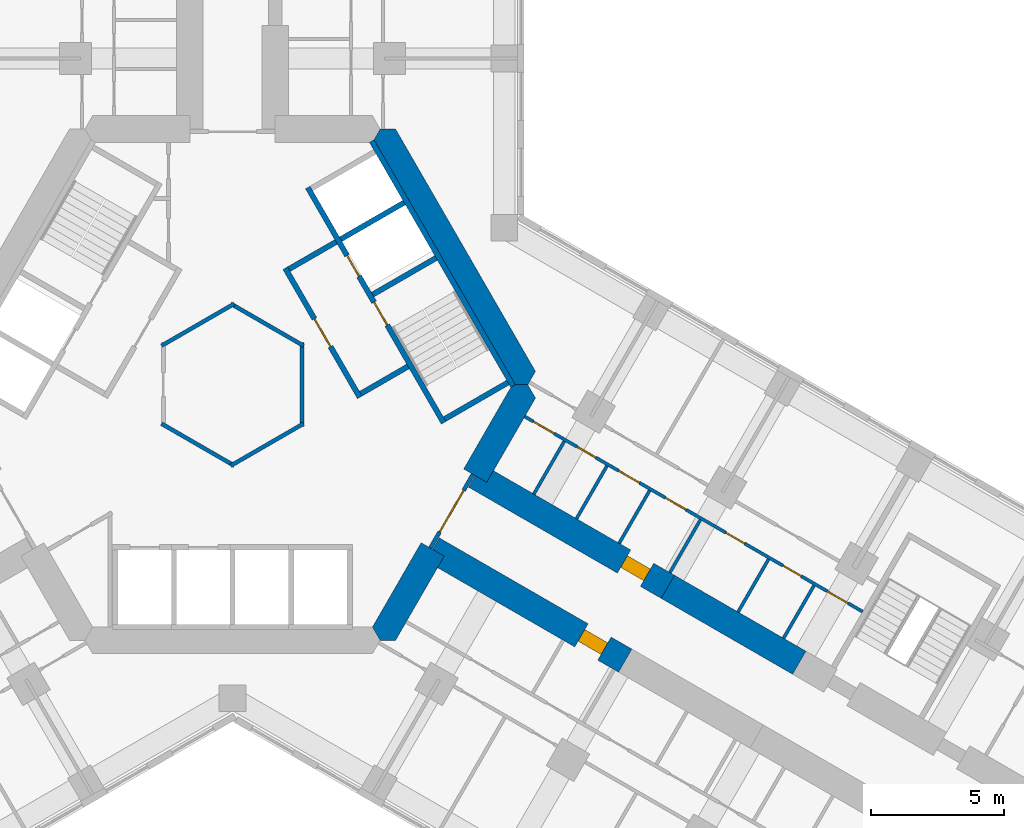
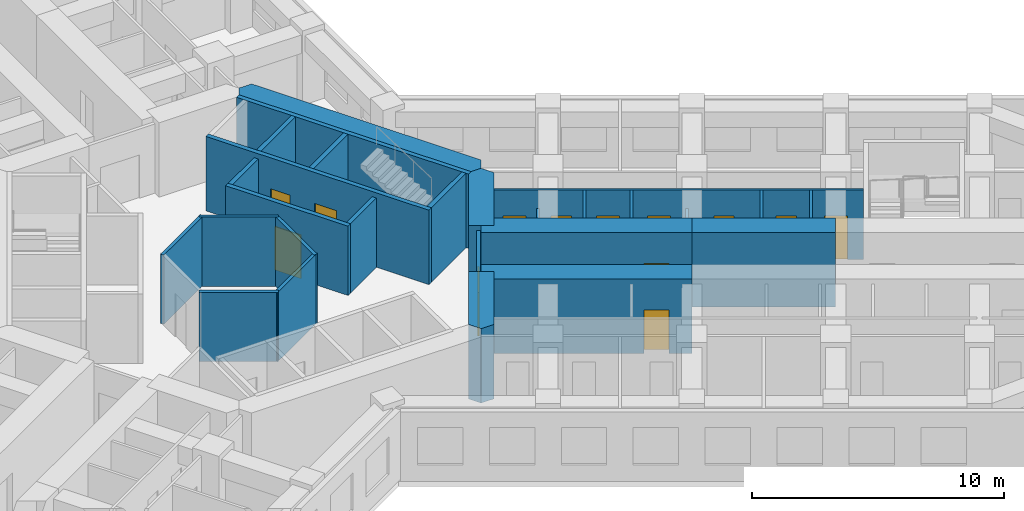
# One storey, part 15 of 21: 27 walls, 13 doors, 13 openings.
"""IFC4 building model written with IfcOpenShell, lengths in metres."""

import ifcopenshell
import ifcopenshell.guid

model = None  # the IFC model being written
_history = None  # IfcOwnerHistory: only IFC2X3 demands one
_inside = {}  # id of a spatial element -> (the spatial element, [elements in it])
_under = {}  # id of a project, library or spatial element -> (it, [spatial elements below it])
_declared = {}  # id of a project -> (the project, [libraries it declares])
_typed = {}  # id of a type object -> (the type object, [elements of that type])
_made_of = {}  # id of a material, layer set ... -> (it, [elements and type objects made of it])


def new_model(schema):
    """Start an empty IFC model of exactly this schema.

    Asked for "IFC4X3", IfcOpenShell would pick the latest addendum, in which some entities
    have other attributes; the version numbers below select the first issue.
    IFC2X3 requires an IfcOwnerHistory on every rooted entity: one is made here for all.
    """
    global model, _history
    if schema == "IFC4X3":
        model = ifcopenshell.file(schema_version=(4, 3, 0, 0))
    else:
        model = ifcopenshell.file(schema=schema)
    _inside.clear()
    _under.clear()
    _declared.clear()
    _typed.clear()
    _made_of.clear()
    _history = None
    if model.schema == "IFC2X3":
        org = make("IfcOrganization", Name="unknown")
        user = make(
            "IfcPersonAndOrganization",
            ThePerson=make("IfcPerson", FamilyName="unknown"),
            TheOrganization=org,
        )
        app = make(
            "IfcApplication",
            ApplicationDeveloper=org,
            Version="unknown",
            ApplicationFullName="unknown",
            ApplicationIdentifier="unknown",
        )
        _history = make(
            "IfcOwnerHistory",
            OwningUser=user,
            OwningApplication=app,
            ChangeAction="ADDED",
            CreationDate=0,
        )
    return model


def make(cls, **values):
    """One entity of the class cls with the attributes given. An attribute that is None is left unset."""
    return model.create_entity(
        cls, **{name: value for name, value in values.items() if value is not None}
    )


def rooted(cls, **values):
    """An entity with a GlobalId (a new one), such as an element, a storey or a relation."""
    return make(cls, GlobalId=ifcopenshell.guid.new(), OwnerHistory=_history, **values)


def si_unit(unit_type, name, prefix=None):
    """IfcSIUnit, for example si_unit("LENGTHUNIT", "METRE", prefix="MILLI")."""
    return make("IfcSIUnit", UnitType=unit_type, Prefix=prefix, Name=name)


def assignment(units):
    """IfcUnitAssignment: the units of a project."""
    return None if units is None else make("IfcUnitAssignment", Units=units)


def point(xyz):
    """IfcCartesianPoint."""
    return None if xyz is None else make("IfcCartesianPoint", Coordinates=xyz)


def direction(xyz):
    """IfcDirection."""
    return None if xyz is None else make("IfcDirection", DirectionRatios=xyz)


def frame(location, z_axis=None, x_axis=None):
    """IfcAxis2Placement3D, a coordinate frame: its origin and axes. An axis left out is left unset."""
    return make(
        "IfcAxis2Placement3D",
        Location=point(location),
        Axis=direction(z_axis),
        RefDirection=direction(x_axis),
    )


def frame_2d(location, x_axis=None):
    """IfcAxis2Placement2D, a coordinate frame in the plane: its origin and x axis."""
    return make(
        "IfcAxis2Placement2D", Location=point(location), RefDirection=direction(x_axis)
    )


def origin():
    """The frame at (0, 0, 0) with its axes left unset."""
    return frame((0.0, 0.0, 0.0))


def place(relative_to, where):
    """IfcLocalPlacement: puts the frame where relative to a parent placement (None: the world)."""
    return make(
        "IfcLocalPlacement", PlacementRelTo=relative_to, RelativePlacement=where
    )


def context(
    kind, dimensions, precision=None, world=None, true_north=None, identifier=None
):
    """IfcGeometricRepresentationContext, for example the 3D "Model" context."""
    return make(
        "IfcGeometricRepresentationContext",
        ContextIdentifier=identifier,
        ContextType=kind,
        CoordinateSpaceDimension=dimensions,
        Precision=precision,
        WorldCoordinateSystem=world,
        TrueNorth=true_north,
    )


def subcontext(parent, identifier, kind, view, scale=None):
    """IfcGeometricRepresentationSubContext, for example "Body" below "Model"."""
    return make(
        "IfcGeometricRepresentationSubContext",
        ContextIdentifier=identifier,
        ContextType=kind,
        ParentContext=parent,
        TargetScale=scale,
        TargetView=view,
    )


def project(units=None, contexts=None):
    """IfcProject with its units and contexts."""
    return rooted(
        "IfcProject",
        Name="project",
        RepresentationContexts=contexts,
        UnitsInContext=assignment(units),
    )


def spatial(cls, under=None, at=None, **own):
    """A site, building, storey or space (cls), placed at a placement, below another one or the project."""
    s = rooted(cls, ObjectPlacement=at, **own)
    if under is not None:
        _under.setdefault(under.id(), (under, []))[1].append(s)
    return s


def polyline(points):
    """IfcPolyline through the points."""
    return make("IfcPolyline", Points=[point(p) for p in points])


def profile(cls, at=None, kind="AREA", **sizes):
    """A parametric profile (cls). Its sizes go by their IFC names, for example OverallWidth=200.0."""
    return make(cls, ProfileType=kind, Position=at, **sizes)


def rectangle(**sizes):
    """IfcRectangleProfileDef."""
    return profile("IfcRectangleProfileDef", **sizes)


def outline(outer, holes=None, kind="AREA"):
    """IfcArbitraryClosedProfileDef: a profile drawn as a closed curve; with holes, ...WithVoids."""
    if holes is None:
        return make("IfcArbitraryClosedProfileDef", ProfileType=kind, OuterCurve=outer)
    return make(
        "IfcArbitraryProfileDefWithVoids",
        ProfileType=kind,
        OuterCurve=outer,
        InnerCurves=holes,
    )


def extrude(swept, where, along, depth):
    """IfcExtrudedAreaSolid: the profile swept, set in the frame where, extruded along a direction by depth."""
    return make(
        "IfcExtrudedAreaSolid",
        SweptArea=swept,
        Position=where,
        ExtrudedDirection=direction(along),
        Depth=depth,
    )


def shape(context_of_items, identifier, shape_type, items):
    """IfcShapeRepresentation: the items that make up one representation, for example the "Body"."""
    return make(
        "IfcShapeRepresentation",
        ContextOfItems=context_of_items,
        RepresentationIdentifier=identifier,
        RepresentationType=shape_type,
        Items=items,
    )


def material(Name=None, Category=None):
    """IfcMaterial."""
    return make("IfcMaterial", Name=Name, Category=Category)


def layer(
    of_material, thickness, ventilated=None, Name=None, Category=None, Priority=None
):
    """IfcMaterialLayer: one layer of a wall or slab, of a material (None: an air gap)."""
    return make(
        "IfcMaterialLayer",
        Material=of_material,
        LayerThickness=thickness,
        IsVentilated=ventilated,
        Name=Name,
        Category=Category,
        Priority=Priority,
    )


def layer_set(layers, Name=None):
    """IfcMaterialLayerSet."""
    return make("IfcMaterialLayerSet", MaterialLayers=layers, LayerSetName=Name)


def made_of(thing, what):
    """Note that an element or type object is made of a material, layer set ...; save() writes the relation."""
    if what is not None:
        _made_of.setdefault(what.id(), (what, []))[1].append(thing)
    return thing


def type_object(cls, material=None, **own):
    """A type object (cls), such as IfcWallType, which elements share."""
    return made_of(rooted(cls, **own), material)


def element(
    cls,
    number,
    at=None,
    inside=None,
    cuts=None,
    type_object=None,
    material=None,
    context=None,
    identifier="Body",
    shape_type=None,
    held_by="IfcProductDefinitionShape",
    body=None,
    shapes=None,
    **own,
):
    """One element of the class cls, such as IfcWall. Its Tag is "e" and its number.

    at: its placement. inside: the storey or other place that contains it. cuts: it is an
    opening in that element (IfcRelVoidsElement). A single representation is given by context,
    identifier, shape_type and body (its items); several are given by shapes. held_by: the class
    of the entity that holds the representations. save() writes the other relations.
    """
    e = rooted(cls, Tag="e%d" % number, ObjectPlacement=at, **own)
    if body is not None:
        shapes = [shape(context, identifier, shape_type, body)]
    if shapes is not None:
        e.Representation = make(held_by, Representations=shapes)
    if inside is not None:
        _inside.setdefault(inside.id(), (inside, []))[1].append(e)
    if cuts is not None:
        rooted(
            "IfcRelVoidsElement", RelatingBuildingElement=cuts, RelatedOpeningElement=e
        )
    if type_object is not None:
        _typed.setdefault(type_object.id(), (type_object, []))[1].append(e)
    return made_of(e, material)


def fill(opening, filler):
    """IfcRelFillsElement: the door or window that sits in an opening."""
    return rooted(
        "IfcRelFillsElement",
        RelatingOpeningElement=opening,
        RelatedBuildingElement=filler,
    )


def aggregate(whole, parts):
    """IfcRelAggregates: a whole, such as a stair, and the parts it consists of."""
    return rooted("IfcRelAggregates", RelatingObject=whole, RelatedObjects=parts)


def save(model, path):
    """Write the relations noted so far, then the file.

    IfcRelAggregates (storeys below a building ...), IfcRelContainedInSpatialStructure (elements
    in a storey), IfcRelDefinesByType, IfcRelAssociatesMaterial and IfcRelDeclares: one each for
    every whole, place, type object, material and project.
    """
    for whole, parts in _under.values():
        aggregate(whole, parts)
    for where, things in _inside.values():
        rooted(
            "IfcRelContainedInSpatialStructure",
            RelatedElements=things,
            RelatingStructure=where,
        )
    for kind, things in _typed.values():
        rooted("IfcRelDefinesByType", RelatedObjects=things, RelatingType=kind)
    for what, things in _made_of.values():
        rooted("IfcRelAssociatesMaterial", RelatedObjects=things, RelatingMaterial=what)
    for by, libraries in _declared.values():
        rooted("IfcRelDeclares", RelatingContext=by, RelatedDefinitions=libraries)
    model.write(path)


model = new_model("IFC4")

# Units and contexts
model_context = context("Model", 3, precision=1e-05, world=origin(), true_north=direction((0.0, 1.0)))
body_context = subcontext(model_context, "Body", "Model", "MODEL_VIEW")
ifc_project = project(units=[si_unit("LENGTHUNIT", "METRE"), si_unit("AREAUNIT", "SQUARE_METRE"), si_unit("VOLUMEUNIT", "CUBIC_METRE"), si_unit("PLANEANGLEUNIT", "RADIAN"), si_unit("MASSUNIT", "GRAM", prefix="KILO")], contexts=[model_context])

# Site, building, storey
site_placement = place(None, origin())
site = spatial("IfcSite", under=ifc_project, at=site_placement, CompositionType="ELEMENT")
building_placement = place(site_placement, origin())
building = spatial("IfcBuilding", under=site, at=building_placement, Name="Kosmar Iwan School Tower", CompositionType="ELEMENT")
storey_placement = place(building_placement, frame((0.0, 0.0, 68.199951171875)))
storey = spatial("IfcBuildingStorey", under=building, at=storey_placement, Name="L16", CompositionType="ELEMENT", Elevation=68.199951171875)

# Walls
ifc_material_1 = material(Name="Gypsum board on steel studs, fire-rated", Category="steel")
ifc_layer_1 = layer(ifc_material_1, 0.14990234375)
ifc_layer_set_1 = layer_set([ifc_layer_1], Name="Core room partition 150")
wall_type_1 = type_object("IfcWallType", Name="Core room partition 150", PredefinedType="PARTITIONING", material=ifc_layer_set_1)
for number, where, z_axis, x_axis, name in (
    (1, (2.6650390625, -1.463623046875, 0.0), (0.0, 0.0, 1.0), (-0.866023080072, -0.500004024767, 0.0), "Core room partition L16-CW4"),
    (2, (0.06494140625, -3.039794921875, 0.0), (0.0, 0.0, 1.0), (-0.866023080072, 0.500004024767, 0.0), "Core room partition L16-CW5"),
    (3, (-2.6650390625, 1.463623046875, 0.0), (0.0, 0.0, 1.0), (0.866023080072, 0.500004024767, 0.0), "Core room partition L16-CW7"),
    (4, (-0.06494140625, 3.039794921875, 0.0), (0.0, 0.0, 1.0), (0.866023080072, -0.500004024767, 0.0), "Core room partition L16-CW8"),
    (5, (2.60009765625, 1.576171875, 0.0), (0.0, 0.0, 1.0), (0.0, -1.0, 0.0), "Core room partition L16-CW9"),
):
    element("IfcWall", number, at=place(storey_placement, frame(where, z_axis=z_axis, x_axis=x_axis)), inside=storey, type_object=wall_type_1, Name=name, PredefinedType="PARTITIONING", context=body_context, shape_type="SweptSolid", body=[
        extrude(rectangle(XDim=3.15234375, YDim=0.14990234375, at=frame_2d((1.576171875, 0.0))), origin(), (0.0, 0.0, 1.0), 3.35009765625),
    ])
ifc_material_2 = material(Name="Concrete C50/60", Category="concrete")
ifc_layer_2 = layer(ifc_material_2, 1.0)
ifc_layer_set_2 = layer_set([ifc_layer_2], Name="Core wall 1000")
wall_type_2 = type_object("IfcWallType", Name="Core wall 1000", PredefinedType="SHEAR", material=ifc_layer_set_2)
wall_1_placement = place(storey_placement, origin())
element("IfcWall", 6, at=wall_1_placement, inside=storey, type_object=wall_type_2, Name="Core wall F030", PredefinedType="SHEAR", context=body_context, shape_type="SweptSolid", body=[
    extrude(outline(polyline([(10.5078125, 0.0), (11.085205078125, 0.0), (11.373779296875, 0.5), (6.119873046875, 9.60009765625), (5.54248046875, 9.60009765625), (5.25390625, 9.10009765625), (10.5078125, 0.0)])), origin(), (0.0, 0.0, 1.0), 3.60009765625),
])
wall_2_placement = place(storey_placement, origin())
element("IfcWall", 7, at=wall_2_placement, inside=storey, type_object=wall_type_2, Name="Core wall F330a", PredefinedType="SHEAR", context=body_context, shape_type="SweptSolid", body=[
    extrude(outline(polyline([(5.54248046875, -9.60009765625), (6.119873046875, -9.60009765625), (7.94677734375, -6.435546875), (7.080810546875, -5.935546875), (5.25390625, -9.10009765625), (5.54248046875, -9.60009765625)])), origin(), (0.0, 0.0, 1.0), 3.60009765625),
])
wall_3_placement = place(storey_placement, origin())
element("IfcWall", 8, at=wall_3_placement, inside=storey, type_object=wall_type_2, Name="Core wall F330b", PredefinedType="SHEAR", context=body_context, shape_type="SweptSolid", body=[
    extrude(outline(polyline([(9.546875, -3.664306640625), (11.373779296875, -0.5), (11.085205078125, 0.0), (10.5078125, 0.0), (8.680908203125, -3.164306640625), (9.546875, -3.664306640625)])), origin(), (0.0, 0.0, 1.0), 3.60009765625),
])

# Wall, opening, door
ifc_material_3 = material(Name="Concrete C50/60", Category="concrete")
ifc_layer_3 = layer(ifc_material_3, 1.0)
ifc_layer_set_3 = layer_set([ifc_layer_3], Name="Corridor buttress wall 1000")
wall_type_3 = type_object("IfcWallType", Name="Corridor buttress wall 1000", PredefinedType="SHEAR", material=ifc_layer_set_3)
wall_4_placement = place(storey_placement, frame((9.11376953125, -3.414306640625, 0.0), z_axis=(0.0, 0.0, 1.0), x_axis=(0.866026859388, -0.499997478812, 0.0)))
wall_4 = element("IfcWall", 9, at=wall_4_placement, inside=storey, type_object=wall_type_3, Name="Corridor wall CL", PredefinedType="SHEAR", context=body_context, shape_type="SweptSolid", body=[
    extrude(rectangle(XDim=8.35009765625, YDim=1.0, at=frame_2d((4.175048828125, 0.0))), origin(), (0.0, 0.0, 1.0), 3.60009765625),
])
opening_1_placement = place(wall_4_placement, frame((6.449951171875, 0.0, 0.0)))
opening_1 = element("IfcOpeningElement", 10, at=opening_1_placement, cuts=wall_4, Name="Opening D1", PredefinedType="OPENING", context=body_context, shape_type="SweptSolid", body=[
    extrude(rectangle(XDim=1.0, YDim=2.10009765625, at=frame_2d((0.5, 1.050048828125))), frame((0.0, 0.511962890625, 0.0), z_axis=(0.0, -1.0, 0.0), x_axis=(1.0, 0.0, 0.0)), (0.0, 0.0, 1.0), 1.02392578125),
])
ifc_material_4 = material(Name="Timber fire door in steel frame", Category="steel")
door_type_1 = type_object("IfcDoorType", Name="Flat entrance door 1000x2100", OperationType="SINGLE_SWING_LEFT", PredefinedType="DOOR", material=ifc_material_4)
door_1_placement = place(opening_1_placement, origin())
door_1 = element("IfcDoor", 11, at=door_1_placement, inside=storey, type_object=door_type_1, Name="Flat L16-CL1 entrance door", OperationType="SINGLE_SWING_LEFT", OverallHeight=2.10009765625, OverallWidth=1.0, PredefinedType="DOOR", context=body_context, shape_type="SweptSolid", body=[
    extrude(rectangle(XDim=1.0, YDim=2.10009765625, at=frame_2d((0.5, 1.050048828125))), frame((0.0, 0.25, 0.0), z_axis=(0.0, -1.0, 0.0), x_axis=(1.0, 0.0, 0.0)), (0.0, 0.0, 1.0), 0.5),
])
fill(opening_1, door_1)

# Wall
wall_5_placement = place(storey_placement, frame((16.34521484375, -7.58935546875, 0.0), z_axis=(0.0, 0.0, 1.0), x_axis=(0.866015111908, -0.50001782563, 0.0)))
element("IfcWall", 12, at=wall_5_placement, inside=storey, type_object=wall_type_3, Name="Corridor wall CL bay 2", PredefinedType="SHEAR", context=body_context, shape_type="SweptSolid", body=[
    extrude(rectangle(XDim=5.699951171875, YDim=1.0, at=frame_2d((2.85009765625, 0.0))), origin(), (0.0, 0.0, 1.0), 3.60009765625),
])

# Wall, opening, door
wall_6_placement = place(storey_placement, frame((7.513916015625, -6.185546875, 0.0), z_axis=(0.0, 0.0, 1.0), x_axis=(0.866019549707, -0.500010139422, 0.0)))
wall_6 = element("IfcWall", 13, at=wall_6_placement, inside=storey, type_object=wall_type_3, Name="Corridor wall CR", PredefinedType="SHEAR", context=body_context, shape_type="SweptSolid", body=[
    extrude(rectangle(XDim=8.349853515625, YDim=1.0, at=frame_2d((4.1748046875, 0.0))), origin(), (0.0, 0.0, 1.0), 3.60009765625),
])
opening_2_placement = place(wall_6_placement, frame((6.449951171875, 0.0, 0.0)))
opening_2 = element("IfcOpeningElement", 14, at=opening_2_placement, cuts=wall_6, Name="Opening D1", PredefinedType="OPENING", context=body_context, shape_type="SweptSolid", body=[
    extrude(rectangle(XDim=1.0, YDim=2.10009765625, at=frame_2d((0.5, 1.050048828125))), frame((0.0, 0.511962890625, 0.0), z_axis=(0.0, -1.0, 0.0), x_axis=(1.0, 0.0, 0.0)), (0.0, 0.0, 1.0), 1.02392578125),
])
door_2_placement = place(opening_2_placement, origin())
door_2 = element("IfcDoor", 15, at=door_2_placement, inside=storey, type_object=door_type_1, Name="Flat L16-CR1 entrance door", OperationType="SINGLE_SWING_RIGHT", OverallHeight=2.10009765625, OverallWidth=1.0, PredefinedType="DOOR", context=body_context, shape_type="SweptSolid", body=[
    extrude(rectangle(XDim=1.0, YDim=2.10009765625, at=frame_2d((0.5, 1.050048828125))), frame((0.0, 0.25, 0.0), z_axis=(0.0, -1.0, 0.0), x_axis=(1.0, 0.0, 0.0)), (0.0, 0.0, 1.0), 0.5),
])
fill(opening_2, door_2)

ifc_material_5 = material(Name="Steel framed glazed screen", Category="steel")
ifc_layer_4 = layer(ifc_material_5, 0.14990234375)
ifc_layer_set_4 = layer_set([ifc_layer_4], Name="Corridor screen wall 150")
wall_type_4 = type_object("IfcWallType", Name="Corridor screen wall 150", PredefinedType="PARTITIONING", material=ifc_layer_set_4)
wall_7_placement = place(storey_placement, frame((7.42724609375, -6.1357421875, 0.0), z_axis=(0.0, 0.0, 1.0), x_axis=(0.499995408039, 0.866028054938, 0.0)))
wall_7 = element("IfcWall", 16, at=wall_7_placement, inside=storey, type_object=wall_type_4, Name="Corridor screen C L16", PredefinedType="PARTITIONING", context=body_context, shape_type="SweptSolid", body=[
    extrude(rectangle(XDim=3.2001953125, YDim=0.14990234375, at=frame_2d((1.60009765625, 0.0))), origin(), (0.0, 0.0, 1.0), 3.35009765625),
])
opening_3_placement = place(wall_7_placement, frame((0.699951171875, 0.0, 0.0)))
opening_3 = element("IfcOpeningElement", 17, at=opening_3_placement, cuts=wall_7, Name="Opening D9", PredefinedType="OPENING", context=body_context, shape_type="SweptSolid", body=[
    extrude(rectangle(XDim=1.800048828125, YDim=2.10009765625, at=frame_2d((0.89990234375, 1.050048828125))), frame((0.0, 0.0869140625, 0.0), z_axis=(0.0, -1.0, 0.0), x_axis=(1.0, 0.0, 0.0)), (0.0, 0.0, 1.0), 0.173828125),
])
ifc_material_6 = material(Name="Steel framed glazed smoke door", Category="steel")
door_type_2 = type_object("IfcDoorType", Name="Corridor smoke door pair 1800x2100", OperationType="DOUBLE_DOOR_DOUBLE_SWING", PredefinedType="DOOR", material=ifc_material_6)
door_3_placement = place(opening_3_placement, origin())
door_3 = element("IfcDoor", 18, at=door_3_placement, inside=storey, type_object=door_type_2, Name="Corridor doors C L16", OperationType="DOUBLE_DOOR_DOUBLE_SWING", OverallHeight=2.10009765625, OverallWidth=1.800048828125, PredefinedType="DOOR", context=body_context, shape_type="SweptSolid", body=[
    extrude(rectangle(XDim=1.800048828125, YDim=2.10009765625, at=frame_2d((0.89990234375, 1.050048828125))), frame((0.0, 0.02490234375, 0.0), z_axis=(0.0, -1.0, 0.0), x_axis=(1.0, 0.0, 0.0)), (0.0, 0.0, 1.0), 0.050048828125),
])
fill(opening_3, door_3)

# Wall, openings, doors
ifc_material_7 = material(Name="Gypsum board on steel studs", Category="steel")
ifc_layer_5 = layer(ifc_material_7, 0.1201171875)
ifc_layer_set_5 = layer_set([ifc_layer_5], Name="Dwelling partition 120")
wall_type_5 = type_object("IfcWallType", Name="Dwelling partition 120", PredefinedType="PARTITIONING", material=ifc_layer_set_5)
wall_8_placement = place(storey_placement, frame((10.971923828125, -1.1962890625, 0.0), z_axis=(0.0, 0.0, 1.0), x_axis=(0.866026568746, -0.499997982221, 0.0)))
wall_8 = element("IfcWall", 19, at=wall_8_placement, inside=storey, type_object=wall_type_5, Name="Partition L16-CL1-W1", PredefinedType="PARTITIONING", context=body_context, shape_type="SweptSolid", body=[
    extrude(rectangle(XDim=14.64990234375, YDim=0.1201171875, at=frame_2d((7.324951171875, 0.0))), origin(), (0.0, 0.0, 1.0), 3.35009765625),
])
opening_4_placement = place(wall_8_placement, frame((0.375, 0.0, 0.0)))
opening_4 = element("IfcOpeningElement", 20, at=opening_4_placement, cuts=wall_8, Name="Opening D2", PredefinedType="OPENING", context=body_context, shape_type="SweptSolid", body=[
    extrude(rectangle(XDim=0.89990234375, YDim=2.10009765625, at=frame_2d((0.449951171875, 1.050048828125))), frame((0.0, 0.072021484375, 0.0), z_axis=(0.0, -1.0, 0.0), x_axis=(1.0, 0.0, 0.0)), (0.0, 0.0, 1.0), 0.14404296875),
])
opening_5_placement = place(wall_8_placement, frame((2.27490234375, 0.0, 0.0)))
opening_5 = element("IfcOpeningElement", 21, at=opening_5_placement, cuts=wall_8, Name="Opening D3", PredefinedType="OPENING", context=body_context, shape_type="SweptSolid", body=[
    extrude(rectangle(XDim=0.800048828125, YDim=2.10009765625, at=frame_2d((0.39990234375, 1.050048828125))), frame((0.0, 0.072021484375, 0.0), z_axis=(0.0, -1.0, 0.0), x_axis=(1.0, 0.0, 0.0)), (0.0, 0.0, 1.0), 0.14404296875),
])
opening_6_placement = place(wall_8_placement, frame((4.074951171875, 0.0, 0.0)))
opening_6 = element("IfcOpeningElement", 22, at=opening_6_placement, cuts=wall_8, Name="Opening D2", PredefinedType="OPENING", context=body_context, shape_type="SweptSolid", body=[
    extrude(rectangle(XDim=0.89990234375, YDim=2.10009765625, at=frame_2d((0.449951171875, 1.050048828125))), frame((0.0, 0.072021484375, 0.0), z_axis=(0.0, -1.0, 0.0), x_axis=(1.0, 0.0, 0.0)), (0.0, 0.0, 1.0), 0.14404296875),
])
opening_7_placement = place(wall_8_placement, frame((6.10009765625, 0.0, 0.0)))
opening_7 = element("IfcOpeningElement", 23, at=opening_7_placement, cuts=wall_8, Name="Opening D2", PredefinedType="OPENING", context=body_context, shape_type="SweptSolid", body=[
    extrude(rectangle(XDim=0.89990234375, YDim=2.10009765625, at=frame_2d((0.449951171875, 1.050048828125))), frame((0.0, 0.072021484375, 0.0), z_axis=(0.0, -1.0, 0.0), x_axis=(1.0, 0.0, 0.0)), (0.0, 0.0, 1.0), 0.14404296875),
])
opening_8_placement = place(wall_8_placement, frame((8.728515625, 0.0, 0.0)))
opening_8 = element("IfcOpeningElement", 24, at=opening_8_placement, cuts=wall_8, Name="Opening D3", PredefinedType="OPENING", context=body_context, shape_type="SweptSolid", body=[
    extrude(rectangle(XDim=0.800048828125, YDim=2.10009765625, at=frame_2d((0.39990234375, 1.050048828125))), frame((0.0, 0.072021484375, 0.0), z_axis=(0.0, -1.0, 0.0), x_axis=(1.0, 0.0, 0.0)), (0.0, 0.0, 1.0), 0.14404296875),
])
opening_9_placement = place(wall_8_placement, frame((11.19287109375, 0.0, 0.0)))
opening_9 = element("IfcOpeningElement", 25, at=opening_9_placement, cuts=wall_8, Name="Opening D3", PredefinedType="OPENING", context=body_context, shape_type="SweptSolid", body=[
    extrude(rectangle(XDim=0.800048828125, YDim=2.10009765625, at=frame_2d((0.39990234375, 1.050048828125))), frame((0.0, 0.072021484375, 0.0), z_axis=(0.0, -1.0, 0.0), x_axis=(1.0, 0.0, 0.0)), (0.0, 0.0, 1.0), 0.14404296875),
])
opening_10_placement = place(wall_8_placement, frame((13.1142578125, 0.0, 0.0)))
opening_10 = element("IfcOpeningElement", 26, at=opening_10_placement, cuts=wall_8, Name="Opening D2", PredefinedType="OPENING", context=body_context, shape_type="SweptSolid", body=[
    extrude(rectangle(XDim=0.89990234375, YDim=2.10009765625, at=frame_2d((0.449951171875, 1.050048828125))), frame((0.0, 0.072021484375, 0.0), z_axis=(0.0, -1.0, 0.0), x_axis=(1.0, 0.0, 0.0)), (0.0, 0.0, 1.0), 0.14404296875),
])
ifc_material_8 = material(Name="Timber door in timber frame", Category="wood")
door_type_3 = type_object("IfcDoorType", Name="Internal door 900x2100", OperationType="SINGLE_SWING_LEFT", PredefinedType="DOOR", material=ifc_material_8)
door_4_placement = place(opening_4_placement, origin())
door_4 = element("IfcDoor", 27, at=door_4_placement, inside=storey, type_object=door_type_3, Name="Dressing room door L16-CL1-S1", OperationType="SINGLE_SWING_LEFT", OverallHeight=2.10009765625, OverallWidth=0.89990234375, PredefinedType="DOOR", context=body_context, shape_type="SweptSolid", body=[
    extrude(rectangle(XDim=0.89990234375, YDim=2.10009765625, at=frame_2d((0.449951171875, 1.050048828125))), frame((0.0, 0.02490234375, 0.0), z_axis=(0.0, -1.0, 0.0), x_axis=(1.0, 0.0, 0.0)), (0.0, 0.0, 1.0), 0.050048828125),
])
fill(opening_4, door_4)
door_5_placement = place(opening_6_placement, origin())
door_5 = element("IfcDoor", 28, at=door_5_placement, inside=storey, type_object=door_type_3, Name="Pantry door L16-CL1-S3", OperationType="SINGLE_SWING_LEFT", OverallHeight=2.10009765625, OverallWidth=0.89990234375, PredefinedType="DOOR", context=body_context, shape_type="SweptSolid", body=[
    extrude(rectangle(XDim=0.89990234375, YDim=2.10009765625, at=frame_2d((0.449951171875, 1.050048828125))), frame((0.0, 0.02490234375, 0.0), z_axis=(0.0, -1.0, 0.0), x_axis=(1.0, 0.0, 0.0)), (0.0, 0.0, 1.0), 0.050048828125),
])
fill(opening_6, door_5)
door_6_placement = place(opening_7_placement, origin())
door_6 = element("IfcDoor", 29, at=door_6_placement, inside=storey, type_object=door_type_3, Name="Entrance hall door L16-CL1-S4", OperationType="SINGLE_SWING_LEFT", OverallHeight=2.10009765625, OverallWidth=0.89990234375, PredefinedType="DOOR", context=body_context, shape_type="SweptSolid", body=[
    extrude(rectangle(XDim=0.89990234375, YDim=2.10009765625, at=frame_2d((0.449951171875, 1.050048828125))), frame((0.0, 0.02490234375, 0.0), z_axis=(0.0, -1.0, 0.0), x_axis=(1.0, 0.0, 0.0)), (0.0, 0.0, 1.0), 0.050048828125),
])
fill(opening_7, door_6)
door_7_placement = place(opening_10_placement, frame((0.89990234375, 0.0, 0.0), z_axis=(0.0, 0.0, 1.0), x_axis=(-1.0, 0.0, 0.0)))
door_7 = element("IfcDoor", 30, at=door_7_placement, inside=storey, type_object=door_type_3, Name="Utility room door L16-CL1-S7", OperationType="SINGLE_SWING_LEFT", OverallHeight=2.10009765625, OverallWidth=0.89990234375, PredefinedType="DOOR", context=body_context, shape_type="SweptSolid", body=[
    extrude(rectangle(XDim=0.89990234375, YDim=2.10009765625, at=frame_2d((0.449951171875, 1.050048828125))), frame((0.0, 0.02490234375, 0.0), z_axis=(0.0, -1.0, 0.0), x_axis=(1.0, 0.0, 0.0)), (0.0, 0.0, 1.0), 0.050048828125),
])
fill(opening_10, door_7)
ifc_material_9 = material(Name="Timber door in timber frame", Category="wood")
door_type_4 = type_object("IfcDoorType", Name="Sanitary room door 800x2100", OperationType="SINGLE_SWING_LEFT", PredefinedType="DOOR", material=ifc_material_9)
door_8_placement = place(opening_5_placement, origin())
door_8 = element("IfcDoor", 31, at=door_8_placement, inside=storey, type_object=door_type_4, Name="Store door L16-CL1-S2", OperationType="SINGLE_SWING_LEFT", OverallHeight=2.10009765625, OverallWidth=0.800048828125, PredefinedType="DOOR", context=body_context, shape_type="SweptSolid", body=[
    extrude(rectangle(XDim=0.800048828125, YDim=2.10009765625, at=frame_2d((0.39990234375, 1.050048828125))), frame((0.0, 0.02490234375, 0.0), z_axis=(0.0, -1.0, 0.0), x_axis=(1.0, 0.0, 0.0)), (0.0, 0.0, 1.0), 0.050048828125),
])
fill(opening_5, door_8)
door_9_placement = place(opening_8_placement, origin())
door_9 = element("IfcDoor", 32, at=door_9_placement, inside=storey, type_object=door_type_4, Name="Bathroom door L16-CL1-S5", OperationType="SINGLE_SWING_RIGHT", OverallHeight=2.10009765625, OverallWidth=0.800048828125, PredefinedType="DOOR", context=body_context, shape_type="SweptSolid", body=[
    extrude(rectangle(XDim=0.800048828125, YDim=2.10009765625, at=frame_2d((0.39990234375, 1.050048828125))), frame((0.0, 0.02490234375, 0.0), z_axis=(0.0, -1.0, 0.0), x_axis=(1.0, 0.0, 0.0)), (0.0, 0.0, 1.0), 0.050048828125),
])
fill(opening_8, door_9)
door_10_placement = place(opening_9_placement, origin())
door_10 = element("IfcDoor", 33, at=door_10_placement, inside=storey, type_object=door_type_4, Name="WC door L16-CL1-S6", OperationType="SINGLE_SWING_RIGHT", OverallHeight=2.10009765625, OverallWidth=0.800048828125, PredefinedType="DOOR", context=body_context, shape_type="SweptSolid", body=[
    extrude(rectangle(XDim=0.800048828125, YDim=2.10009765625, at=frame_2d((0.39990234375, 1.050048828125))), frame((0.0, 0.02490234375, 0.0), z_axis=(0.0, -1.0, 0.0), x_axis=(1.0, 0.0, 0.0)), (0.0, 0.0, 1.0), 0.050048828125),
])
fill(opening_9, door_10)

# Walls
wall_9_placement = place(storey_placement, frame((11.3125, -4.1064453125, 0.0), z_axis=(0.0, 0.0, 1.0), x_axis=(0.499968531483, 0.866043571379, 0.0)))
element("IfcWall", 34, at=wall_9_placement, inside=storey, type_object=wall_type_5, Name="Partition L16-CL1-Y1", PredefinedType="PARTITIONING", context=body_context, shape_type="SweptSolid", body=[
    extrude(rectangle(XDim=2.290283203125, YDim=0.1201171875, at=frame_2d((1.14501953125, 0.0))), origin(), (0.0, 0.0, 1.0), 2.449951171875),
])
for number, where, z_axis, x_axis, name in (
    (35, (12.91455078125, -5.03125, 0.0), (0.0, 0.0, 1.0), (0.500014693593, 0.866016920268, 0.0), "Partition L16-CL1-Y2"),
    (36, (14.5166015625, -5.956298828125, 0.0), (0.0, 0.0, 1.0), (0.500014693593, 0.866016920268, 0.0), "Partition L16-CL1-Y3"),
):
    element("IfcWall", number, at=place(storey_placement, frame(where, z_axis=z_axis, x_axis=x_axis)), inside=storey, type_object=wall_type_5, Name=name, PredefinedType="PARTITIONING", context=body_context, shape_type="SweptSolid", body=[
        extrude(rectangle(XDim=2.2900390625, YDim=0.1201171875, at=frame_2d((1.14501953125, 0.0))), origin(), (0.0, 0.0, 1.0), 3.35009765625),
    ])
wall_10_placement = place(storey_placement, frame((16.421875, -7.056396484375, 0.0), z_axis=(0.0, 0.0, 1.0), x_axis=(0.500014693593, 0.866016920268, 0.0)))
element("IfcWall", 37, at=wall_10_placement, inside=storey, type_object=wall_type_5, Name="Partition L16-CL1-Y4", PredefinedType="PARTITIONING", context=body_context, shape_type="SweptSolid", body=[
    extrude(rectangle(XDim=2.2900390625, YDim=0.1201171875, at=frame_2d((1.14501953125, 0.0))), origin(), (0.0, 0.0, 1.0), 2.449951171875),
])
wall_11_placement = place(storey_placement, frame((18.98291015625, -8.534912109375, 0.0), z_axis=(0.0, 0.0, 1.0), x_axis=(0.500014693593, 0.866016920268, 0.0)))
element("IfcWall", 38, at=wall_11_placement, inside=storey, type_object=wall_type_5, Name="Partition L16-CL1-Y5", PredefinedType="PARTITIONING", context=body_context, shape_type="SweptSolid", body=[
    extrude(rectangle(XDim=2.2900390625, YDim=0.1201171875, at=frame_2d((1.14501953125, 0.0))), origin(), (0.0, 0.0, 1.0), 3.35009765625),
])
wall_12_placement = place(storey_placement, frame((20.690185546875, -9.520751953125, 0.0), z_axis=(0.0, 0.0, 1.0), x_axis=(0.499968531483, 0.866043571379, 0.0)))
element("IfcWall", 39, at=wall_12_placement, inside=storey, type_object=wall_type_5, Name="Partition L16-CL1-Y6", PredefinedType="PARTITIONING", context=body_context, shape_type="SweptSolid", body=[
    extrude(rectangle(XDim=2.290283203125, YDim=0.1201171875, at=frame_2d((1.14501953125, 0.0))), origin(), (0.0, 0.0, 1.0), 3.35009765625),
])

# Wall, opening, door
ifc_material_10 = material(Name="Concrete block masonry", Category="masonry")
ifc_layer_6 = layer(ifc_material_10, 0.199951171875)
ifc_layer_set_6 = layer_set([ifc_layer_6], Name="Fire lobby wall 200")
wall_type_6 = type_object("IfcWallType", Name="Fire lobby wall 200", PredefinedType="PARTITIONING", material=ifc_layer_set_6)
wall_13_placement = place(storey_placement, frame((4.777587890625, -0.474853515625, 0.0), z_axis=(0.0, 0.0, 1.0), x_axis=(-0.500016814911, 0.866015695474, 0.0)))
wall_13 = element("IfcWall", 40, at=wall_13_placement, inside=storey, type_object=wall_type_6, Name="Firefighting lobby wall ST1", PredefinedType="PARTITIONING", context=body_context, shape_type="SweptSolid", body=[
    extrude(rectangle(XDim=5.599853515625, YDim=0.199951171875, at=frame_2d((2.7998046875, 0.0))), origin(), (0.0, 0.0, 1.0), 3.35009765625),
])
opening_11_placement = place(wall_13_placement, frame((2.199951171875, 0.0, 0.0)))
opening_11 = element("IfcOpeningElement", 41, at=opening_11_placement, cuts=wall_13, Name="Opening D7", PredefinedType="OPENING", context=body_context, shape_type="SweptSolid", body=[
    extrude(rectangle(XDim=1.199951171875, YDim=2.10009765625, at=frame_2d((0.60009765625, 1.050048828125))), frame((0.0, 0.112060546875, 0.0), z_axis=(0.0, -1.0, 0.0), x_axis=(1.0, 0.0, 0.0)), (0.0, 0.0, 1.0), 0.223876953125),
])
ifc_material_11 = material(Name="Steel fire door", Category="steel")
door_type_5 = type_object("IfcDoorType", Name="Fire lobby door 1200x2100", OperationType="SINGLE_SWING_LEFT", PredefinedType="DOOR", material=ifc_material_11)
door_11_placement = place(opening_11_placement, frame((1.199951171875, 0.0, 0.0), z_axis=(0.0, 0.0, 1.0), x_axis=(-1.0, 0.0, 0.0)))
door_11 = element("IfcDoor", 42, at=door_11_placement, inside=storey, type_object=door_type_5, Name="Firefighting lobby door ST1 L16", OperationType="SINGLE_SWING_LEFT", OverallHeight=2.10009765625, OverallWidth=1.199951171875, PredefinedType="DOOR", context=body_context, shape_type="SweptSolid", body=[
    extrude(rectangle(XDim=1.199951171875, YDim=2.10009765625, at=frame_2d((0.60009765625, 1.050048828125))), frame((0.0, 0.02490234375, 0.0), z_axis=(0.0, -1.0, 0.0), x_axis=(1.0, 0.0, 0.0)), (0.0, 0.0, 1.0), 0.050048828125),
])
fill(opening_11, door_11)

# Walls
wall_14_placement = place(storey_placement, frame((4.814208984375, -0.33837890625, 0.0), z_axis=(0.0, 0.0, 1.0), x_axis=(0.865969381856, 0.500097020274, 0.0)))
element("IfcWall", 43, at=wall_14_placement, inside=storey, type_object=wall_type_6, Name="Firefighting lobby wall ST1", PredefinedType="PARTITIONING", context=body_context, shape_type="SweptSolid", body=[
    extrude(rectangle(XDim=2.0498046875, YDim=0.199951171875, at=frame_2d((1.02490234375, 0.0))), origin(), (0.0, 0.0, 1.0), 3.35009765625),
])
wall_15_placement = place(storey_placement, frame((2.114013671875, 4.33837890625, 0.0), z_axis=(0.0, 0.0, 1.0), x_axis=(0.866050731258, 0.499956128963, 0.0)))
element("IfcWall", 44, at=wall_15_placement, inside=storey, type_object=wall_type_6, Name="Firefighting lobby wall ST1", PredefinedType="PARTITIONING", context=body_context, shape_type="SweptSolid", body=[
    extrude(rectangle(XDim=2.050048828125, YDim=0.199951171875, at=frame_2d((1.02490234375, 0.0))), origin(), (0.0, 0.0, 1.0), 3.35009765625),
])

# Wall, openings, doors
ifc_material_12 = material(Name="Concrete C50/60", Category="concrete")
ifc_layer_7 = layer(ifc_material_12, 0.199951171875)
ifc_layer_set_7 = layer_set([ifc_layer_7], Name="Lift shaft wall 200")
wall_type_7 = type_object("IfcWallType", Name="Lift shaft wall 200", PredefinedType="SHEAR", material=ifc_layer_set_7)
wall_16_placement = place(storey_placement, frame((7.926025390625, -1.42822265625, 0.0), z_axis=(0.0, 0.0, 1.0), x_axis=(-0.499998023675, 0.866026544813, 0.0)))
wall_16 = element("IfcWall", 45, at=wall_16_placement, inside=storey, type_object=wall_type_7, Name="Lift and stair front wall AC", PredefinedType="SHEAR", context=body_context, shape_type="SweptSolid", body=[
    extrude(rectangle(XDim=10.19970703125, YDim=0.199951171875, at=frame_2d((5.099853515625, 0.0))), origin(), (0.0, 0.0, 1.0), 3.60009765625),
])
opening_12_placement = place(wall_16_placement, frame((6.35009765625, 0.0, 0.0)))
opening_12 = element("IfcOpeningElement", 46, at=opening_12_placement, cuts=wall_16, Name="Opening LD2", PredefinedType="OPENING", context=body_context, shape_type="SweptSolid", body=[
    extrude(rectangle(XDim=0.89990234375, YDim=2.10009765625, at=frame_2d((0.449951171875, 1.050048828125))), frame((0.0, 0.112060546875, 0.0), z_axis=(0.0, -1.0, 0.0), x_axis=(1.0, 0.0, 0.0)), (0.0, 0.0, 1.0), 0.223876953125),
])
opening_13_placement = place(wall_16_placement, frame((4.22998046875, 0.0, 0.0)))
opening_13 = element("IfcOpeningElement", 47, at=opening_13_placement, cuts=wall_16, Name="Opening D6", PredefinedType="OPENING", context=body_context, shape_type="SweptSolid", body=[
    extrude(rectangle(XDim=1.0, YDim=2.10009765625, at=frame_2d((0.5, 1.050048828125))), frame((0.0, 0.112060546875, 0.0), z_axis=(0.0, -1.0, 0.0), x_axis=(1.0, 0.0, 0.0)), (0.0, 0.0, 1.0), 0.223876953125),
])
ifc_material_13 = material(Name="Stainless steel sliding lift door", Category="steel")
door_type_6 = type_object("IfcDoorType", Name="Firefighting lift landing door 900x2100", OperationType="SLIDING_TO_LEFT", PredefinedType="DOOR", material=ifc_material_13)
door_12_placement = place(opening_12_placement, origin())
door_12 = element("IfcDoor", 48, at=door_12_placement, inside=storey, type_object=door_type_6, Name="Lift FF1 landing door L16", OperationType="SLIDING_TO_LEFT", OverallHeight=2.10009765625, OverallWidth=0.89990234375, PredefinedType="DOOR", context=body_context, shape_type="SweptSolid", body=[
    extrude(rectangle(XDim=0.89990234375, YDim=2.10009765625, at=frame_2d((0.449951171875, 1.050048828125))), frame((0.0, 0.02490234375, 0.0), z_axis=(0.0, -1.0, 0.0), x_axis=(1.0, 0.0, 0.0)), (0.0, 0.0, 1.0), 0.050048828125),
])
fill(opening_12, door_12)
ifc_material_14 = material(Name="Steel fire door", Category="steel")
door_type_7 = type_object("IfcDoorType", Name="Stair door 1000x2100", OperationType="SINGLE_SWING_LEFT", PredefinedType="DOOR", material=ifc_material_14)
door_13_placement = place(opening_13_placement, origin())
door_13 = element("IfcDoor", 49, at=door_13_placement, inside=storey, type_object=door_type_7, Name="Stair ST1 door L16", OperationType="SINGLE_SWING_LEFT", OverallHeight=2.10009765625, OverallWidth=1.0, PredefinedType="DOOR", context=body_context, shape_type="SweptSolid", body=[
    extrude(rectangle(XDim=1.0, YDim=2.10009765625, at=frame_2d((0.5, 1.050048828125))), frame((0.0, 0.02490234375, 0.0), z_axis=(0.0, -1.0, 0.0), x_axis=(1.0, 0.0, 0.0)), (0.0, 0.0, 1.0), 0.050048828125),
])
fill(opening_13, door_13)

# Walls
wall_17_placement = place(storey_placement, frame((10.53662109375, -0.050048828125, 0.0), z_axis=(0.0, 0.0, 1.0), x_axis=(-0.499994998079, 0.866028291626, 0.0)))
element("IfcWall", 50, at=wall_17_placement, inside=storey, type_object=wall_type_7, Name="Lift and stair back wall AC", PredefinedType="SHEAR", context=body_context, shape_type="SweptSolid", body=[
    extrude(rectangle(XDim=10.623046875, YDim=0.199951171875, at=frame_2d((5.3115234375, 0.0))), origin(), (0.0, 0.0, 1.0), 3.60009765625),
])
wall_18_placement = place(storey_placement, frame((4.062744140625, 5.46337890625, 0.0), z_axis=(0.0, 0.0, 1.0), x_axis=(0.866027397988, 0.499996545922, 0.0)))
element("IfcWall", 51, at=wall_18_placement, inside=storey, type_object=wall_type_7, Name="Lift shaft wall AC 1", PredefinedType="SHEAR", context=body_context, shape_type="SweptSolid", body=[
    extrude(rectangle(XDim=2.75, YDim=0.199951171875, at=frame_2d((1.375, 0.0))), origin(), (0.0, 0.0, 1.0), 3.60009765625),
])
ifc_material_15 = material(Name="Concrete C50/60", Category="concrete")
ifc_layer_8 = layer(ifc_material_15, 0.199951171875)
ifc_layer_set_8 = layer_set([ifc_layer_8], Name="Stair enclosure wall 200")
wall_type_8 = type_object("IfcWallType", Name="Stair enclosure wall 200", PredefinedType="SHEAR", material=ifc_layer_set_8)
for number, where, z_axis, x_axis, name in (
    (52, (7.962646484375, -1.291748046875, 0.0), (0.0, 0.0, 1.0), (0.866027397988, 0.499996545922, 0.0), "Stair ST1 wall"),
    (53, (5.2626953125, 3.384765625, 0.0), (0.0, 0.0, 1.0), (0.866027397988, 0.499996545922, 0.0), "Stair ST1 wall"),
):
    element("IfcWall", number, at=place(storey_placement, frame(where, z_axis=z_axis, x_axis=x_axis)), inside=storey, type_object=wall_type_8, Name=name, PredefinedType="SHEAR", context=body_context, shape_type="SweptSolid", body=[
        extrude(rectangle(XDim=2.75, YDim=0.199951171875, at=frame_2d((1.375, 0.0))), origin(), (0.0, 0.0, 1.0), 3.60009765625),
    ])

save(model, "model.ifc")
